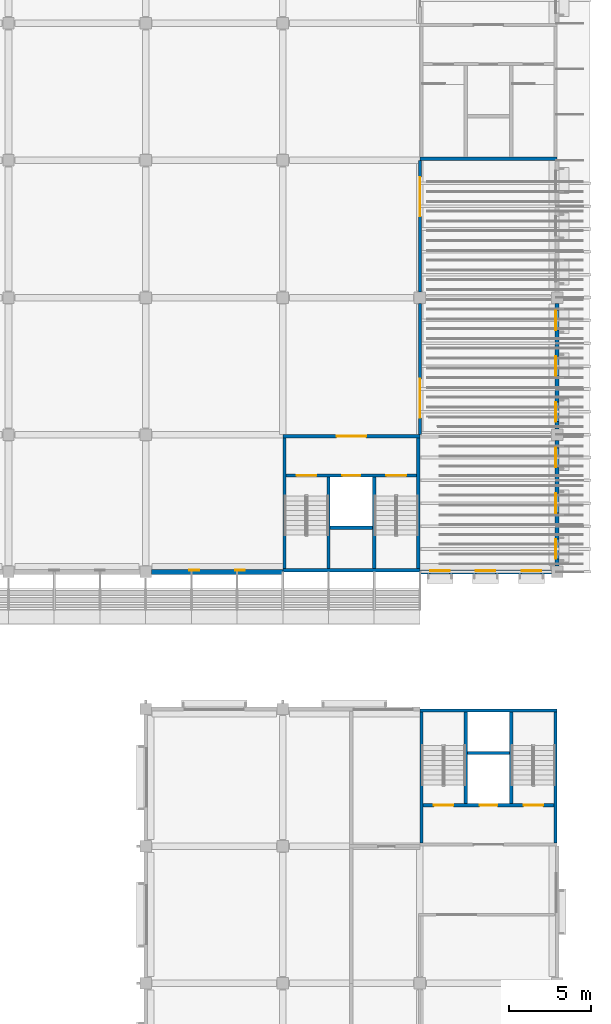
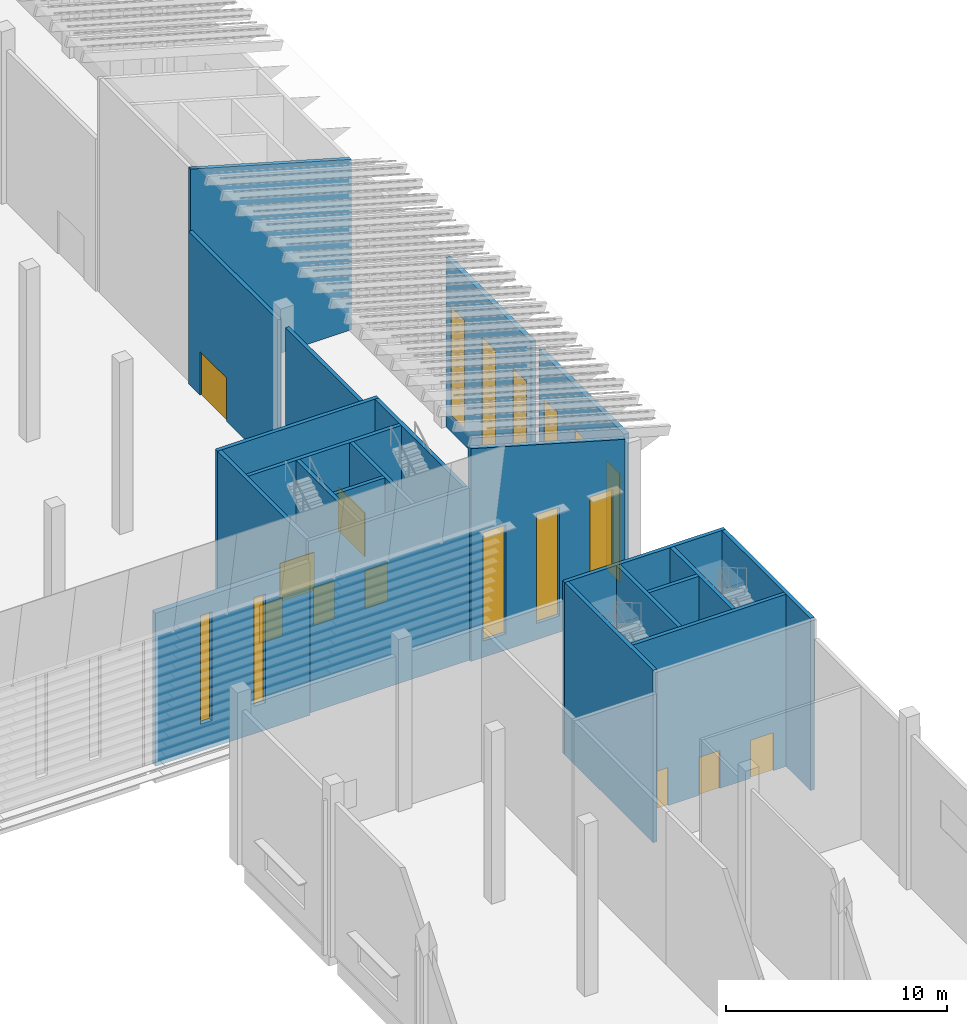
# One storey, part 50 of 114: 22 walls, 11 windows, 9 doors, 20 openings.
"""IFC4 building model written with IfcOpenShell, lengths in metres."""

from ifc_helpers import new_model, si_unit, direction, frame, frame_2d, origin, place, context, subcontext, project, spatial, polyline, rectangle, outline, extrude, material, layer, layer_set, type_object, element, fill, save


model = new_model("IFC4")

# Units and contexts
model_context = context("Model", 3, precision=1e-05, world=origin(), true_north=direction((0.0, 1.0)))
body_context = subcontext(model_context, "Body", "Model", "MODEL_VIEW")
ifc_project = project(units=[si_unit("LENGTHUNIT", "METRE"), si_unit("AREAUNIT", "SQUARE_METRE"), si_unit("VOLUMEUNIT", "CUBIC_METRE"), si_unit("PLANEANGLEUNIT", "RADIAN"), si_unit("MASSUNIT", "GRAM", prefix="KILO")], contexts=[model_context])

# Site, building, storey
site_placement = place(None, origin())
site = spatial("IfcSite", under=ifc_project, at=site_placement, CompositionType="ELEMENT")
building_placement = place(site_placement, origin())
building = spatial("IfcBuilding", under=site, at=building_placement, Name="Almond Square Museum", CompositionType="ELEMENT")
storey_placement = place(building_placement, frame((0.0, 0.0, 10.5)))
storey = spatial("IfcBuildingStorey", under=building, at=storey_placement, Name="L02", CompositionType="ELEMENT", Elevation=10.5)

# Wall, openings, windows
ifc_material_1 = material(Name="Concrete C30/37", Category="concrete")
ifc_layer_1 = layer(ifc_material_1, 0.300048828125)
ifc_layer_set_1 = layer_set([ifc_layer_1], Name="Concrete C30/37")
wall_type_1 = type_object("IfcWallType", Name="Cast concrete wall 300 C30/37 behind louvre skin", PredefinedType="SOLIDWALL", material=ifc_layer_set_1)
wall_1_placement = place(storey_placement, frame((132.35009765625, 50.39990234375, 0.0), z_axis=(0.0, 0.0, 1.0), x_axis=(1.0, 0.0, 0.0)))
wall_1 = element("IfcWall", 1, at=wall_1_placement, inside=storey, type_object=wall_type_1, Name="External wall W1 V1 L02 S03", PredefinedType="SOLIDWALL", context=body_context, shape_type="SweptSolid", body=[
    extrude(rectangle(XDim=8.0498046875, YDim=0.300048828125, at=frame_2d((4.02490234375, 0.0))), origin(), (0.0, 0.0, 1.0), 8.43994140625),
])
opening_1_placement = place(wall_1_placement, frame((2.324951171875, 0.0, 1.5)))
opening_1 = element("IfcOpeningElement", 2, at=opening_1_placement, cuts=wall_1, Name="Opening W2079", PredefinedType="OPENING", context=body_context, shape_type="SweptSolid", body=[
    extrude(rectangle(XDim=0.60009765625, YDim=6.0, at=frame_2d((0.300048828125, 3.0))), frame((0.0, 0.159912109375, 0.0), z_axis=(0.0, -1.0, 0.0), x_axis=(1.0, 0.0, 0.0)), (0.0, 0.0, 1.0), 0.320068359375),
])
opening_2_placement = place(wall_1_placement, frame((5.125, 0.0, 1.5)))
opening_2 = element("IfcOpeningElement", 3, at=opening_2_placement, cuts=wall_1, Name="Opening W2080", PredefinedType="OPENING", context=body_context, shape_type="SweptSolid", body=[
    extrude(rectangle(XDim=0.60009765625, YDim=6.0, at=frame_2d((0.300048828125, 3.0))), frame((0.0, 0.159912109375, 0.0), z_axis=(0.0, -1.0, 0.0), x_axis=(1.0, 0.0, 0.0)), (0.0, 0.0, 1.0), 0.320068359375),
])
ifc_material_2 = material(Name="Anodised aluminium louvre and laminated glass", Category="aluminium")
window_type_1 = type_object("IfcWindowType", Name="Tall slot window with storm louvre", PartitioningType="SINGLE_PANEL", PredefinedType="WINDOW", material=ifc_material_2)
window_1_placement = place(opening_1_placement, origin())
window_1 = element("IfcWindow", 4, at=window_1_placement, inside=storey, type_object=window_type_1, Name="Tall slot window with storm louvre W2079", OverallHeight=6.0, OverallWidth=0.60009765625, PartitioningType="SINGLE_PANEL", PredefinedType="WINDOW", context=body_context, shape_type="SweptSolid", body=[
    extrude(rectangle(XDim=0.60009765625, YDim=6.0, at=frame_2d((0.300048828125, 3.0))), frame((0.0, 0.130126953125, 0.0), z_axis=(0.0, -1.0, 0.0), x_axis=(1.0, 0.0, 0.0)), (0.0, 0.0, 1.0), 0.06005859375),
])
fill(opening_1, window_1)
window_2_placement = place(opening_2_placement, origin())
window_2 = element("IfcWindow", 5, at=window_2_placement, inside=storey, type_object=window_type_1, Name="Tall slot window with storm louvre W2080", OverallHeight=6.0, OverallWidth=0.60009765625, PartitioningType="SINGLE_PANEL", PredefinedType="WINDOW", context=body_context, shape_type="SweptSolid", body=[
    extrude(rectangle(XDim=0.60009765625, YDim=6.0, at=frame_2d((0.300048828125, 3.0))), frame((0.0, 0.130126953125, 0.0), z_axis=(0.0, -1.0, 0.0), x_axis=(1.0, 0.0, 0.0)), (0.0, 0.0, 1.0), 0.06005859375),
])
fill(opening_2, window_2)

# Wall, opening, door
ifc_material_3 = material(Name="Painted gypsum board on steel stud", Category="steel")
ifc_layer_2 = layer(ifc_material_3, 0.199951171875)
ifc_layer_set_2 = layer_set([ifc_layer_2], Name="Painted gypsum board on steel stud")
wall_type_2 = type_object("IfcWallType", Name="Gallery wall 200 painted board on stud", PredefinedType="PARTITIONING", material=ifc_layer_set_2)
wall_2_placement = place(storey_placement, frame((148.800048828125, 58.800048828125, 0.0), z_axis=(0.0, 0.0, 1.0), x_axis=(0.0, 1.0, 0.0)))
wall_2 = element("IfcWall", 6, at=wall_2_placement, inside=storey, type_object=wall_type_2, Name="L02 partition 14", PredefinedType="PARTITIONING", context=body_context, shape_type="SweptSolid", body=[
    extrude(rectangle(XDim=8.050048828125, YDim=0.199951171875, at=frame_2d((4.02490234375, 0.0))), origin(), (0.0, 0.0, 1.0), 8.39990234375),
])
opening_3_placement = place(wall_2_placement, frame((1.02490234375, 0.0, 0.0)))
opening_3 = element("IfcOpeningElement", 7, at=opening_3_placement, cuts=wall_2, Name="Opening D2125", PredefinedType="OPENING", context=body_context, shape_type="SweptSolid", body=[
    extrude(rectangle(XDim=2.39990234375, YDim=2.39990234375, at=frame_2d((1.199951171875, 1.199951171875))), frame((0.0, 0.10986328125, 0.0), z_axis=(0.0, -1.0, 0.0), x_axis=(1.0, 0.0, 0.0)), (0.0, 0.0, 1.0), 0.219970703125),
])
ifc_material_4 = material(Name="Timber", Category="wood")
door_type_1 = type_object("IfcDoorType", Name="Gallery door 2400 x 2400 timber double", OperationType="NOTDEFINED", PredefinedType="DOOR", material=ifc_material_4)
door_1_placement = place(opening_3_placement, origin())
door_1 = element("IfcDoor", 8, at=door_1_placement, inside=storey, type_object=door_type_1, Name="L02 door Grand Gallery to Sculpture Gallery 2", OperationType="DOUBLE_DOOR_SINGLE_SWING", OverallHeight=2.39990234375, OverallWidth=2.39990234375, PredefinedType="DOOR", context=body_context, shape_type="SweptSolid", body=[
    extrude(rectangle(XDim=2.39990234375, YDim=2.39990234375, at=frame_2d((1.199951171875, 1.199951171875))), frame((0.0, 0.02490234375, 0.0), z_axis=(0.0, -1.0, 0.0), x_axis=(1.0, 0.0, 0.0)), (0.0, 0.0, 1.0), 0.050048828125),
])
fill(opening_3, door_1)

wall_3_placement = place(storey_placement, frame((148.800048828125, 67.550048828125, 0.0), z_axis=(0.0, 0.0, 1.0), x_axis=(0.0, 1.0, 0.0)))
wall_3 = element("IfcWall", 9, at=wall_3_placement, inside=storey, type_object=wall_type_2, Name="L02 partition 15", PredefinedType="PARTITIONING", context=body_context, shape_type="SweptSolid", body=[
    extrude(rectangle(XDim=8.050048828125, YDim=0.199951171875, at=frame_2d((4.02490234375, 0.0))), origin(), (0.0, 0.0, 1.0), 8.39990234375),
])
opening_4_placement = place(wall_3_placement, frame((4.625, 0.0, 0.0)))
opening_4 = element("IfcOpeningElement", 10, at=opening_4_placement, cuts=wall_3, Name="Opening D2126", PredefinedType="OPENING", context=body_context, shape_type="SweptSolid", body=[
    extrude(rectangle(XDim=2.39990234375, YDim=2.39990234375, at=frame_2d((1.199951171875, 1.199951171875))), frame((0.0, 0.10986328125, 0.0), z_axis=(0.0, -1.0, 0.0), x_axis=(1.0, 0.0, 0.0)), (0.0, 0.0, 1.0), 0.219970703125),
])
door_2_placement = place(opening_4_placement, origin())
door_2 = element("IfcDoor", 11, at=door_2_placement, inside=storey, type_object=door_type_1, Name="L02 door Grand Gallery to Sculpture Gallery 2", OperationType="DOUBLE_DOOR_SINGLE_SWING", OverallHeight=2.39990234375, OverallWidth=2.39990234375, PredefinedType="DOOR", context=body_context, shape_type="SweptSolid", body=[
    extrude(rectangle(XDim=2.39990234375, YDim=2.39990234375, at=frame_2d((1.199951171875, 1.199951171875))), frame((0.0, 0.02490234375, 0.0), z_axis=(0.0, -1.0, 0.0), x_axis=(1.0, 0.0, 0.0)), (0.0, 0.0, 1.0), 0.050048828125),
])
fill(opening_4, door_2)

# Wall, openings, windows
ifc_material_5 = material(Name="Precast concrete C40/50", Category="concrete")
ifc_layer_3 = layer(ifc_material_5, 0.25)
ifc_layer_set_3 = layer_set([ifc_layer_3], Name="Precast concrete C40/50")
wall_type_3 = type_object("IfcWallType", Name="Precast concrete panel wall 250 with coral limestone piers", PredefinedType="SOLIDWALL", material=ifc_layer_set_3)
wall_4_placement = place(storey_placement, frame((148.800048828125, 50.39990234375, 0.0), z_axis=(0.0, 0.0, 1.0), x_axis=(1.0, 0.0, 0.0)))
wall_4 = element("IfcWall", 12, at=wall_4_placement, inside=storey, type_object=wall_type_3, Name="External wall W2 V4E L02 S01", PredefinedType="SOLIDWALL", context=body_context, shape_type="SweptSolid", body=[
    extrude(outline(polyline([(0.0, 0.0), (8.050048828125, 0.0), (8.050048828125, 9.441650390625), (0.0, 11.74169921875), (0.0, 0.0)])), frame((0.0, 0.125, 0.0), z_axis=(0.0, -1.0, 0.0), x_axis=(1.0, 0.0, 0.0)), (0.0, 0.0, 1.0), 0.25),
])
opening_5_placement = place(wall_4_placement, frame((0.625, 0.0, 0.89990234375)))
opening_5 = element("IfcOpeningElement", 13, at=opening_5_placement, cuts=wall_4, Name="Opening W2081", PredefinedType="OPENING", context=body_context, shape_type="SweptSolid", body=[
    extrude(rectangle(XDim=1.199951171875, YDim=6.0, at=frame_2d((0.60009765625, 3.0))), frame((0.0, 0.135009765625, 0.0), z_axis=(0.0, -1.0, 0.0), x_axis=(1.0, 0.0, 0.0)), (0.0, 0.0, 1.0), 0.27001953125),
])
opening_6_placement = place(wall_4_placement, frame((3.425048828125, 0.0, 0.89990234375)))
opening_6 = element("IfcOpeningElement", 14, at=opening_6_placement, cuts=wall_4, Name="Opening W2082", PredefinedType="OPENING", context=body_context, shape_type="SweptSolid", body=[
    extrude(rectangle(XDim=1.199951171875, YDim=6.0, at=frame_2d((0.60009765625, 3.0))), frame((0.0, 0.135009765625, 0.0), z_axis=(0.0, -1.0, 0.0), x_axis=(1.0, 0.0, 0.0)), (0.0, 0.0, 1.0), 0.27001953125),
])
opening_7_placement = place(wall_4_placement, frame((6.22509765625, 0.0, 0.89990234375)))
opening_7 = element("IfcOpeningElement", 15, at=opening_7_placement, cuts=wall_4, Name="Opening W2083", PredefinedType="OPENING", context=body_context, shape_type="SweptSolid", body=[
    extrude(rectangle(XDim=1.199951171875, YDim=6.0, at=frame_2d((0.60009765625, 3.0))), frame((0.0, 0.135009765625, 0.0), z_axis=(0.0, -1.0, 0.0), x_axis=(1.0, 0.0, 0.0)), (0.0, 0.0, 1.0), 0.27001953125),
])
ifc_material_6 = material(Name="Anodised aluminium louvre and laminated glass", Category="aluminium")
window_type_2 = type_object("IfcWindowType", Name="Tall louvred pier window", PartitioningType="SINGLE_PANEL", PredefinedType="WINDOW", material=ifc_material_6)
window_3_placement = place(opening_5_placement, origin())
window_3 = element("IfcWindow", 16, at=window_3_placement, inside=storey, type_object=window_type_2, Name="Tall louvred pier window W2081", OverallHeight=6.0, OverallWidth=1.199951171875, PartitioningType="SINGLE_PANEL", PredefinedType="WINDOW", context=body_context, shape_type="SweptSolid", body=[
    extrude(rectangle(XDim=1.199951171875, YDim=6.0, at=frame_2d((0.60009765625, 3.0))), frame((0.0, 0.10498046875, 0.0), z_axis=(0.0, -1.0, 0.0), x_axis=(1.0, 0.0, 0.0)), (0.0, 0.0, 1.0), 0.06005859375),
])
fill(opening_5, window_3)
window_4_placement = place(opening_6_placement, origin())
window_4 = element("IfcWindow", 17, at=window_4_placement, inside=storey, type_object=window_type_2, Name="Tall louvred pier window W2082", OverallHeight=6.0, OverallWidth=1.199951171875, PartitioningType="SINGLE_PANEL", PredefinedType="WINDOW", context=body_context, shape_type="SweptSolid", body=[
    extrude(rectangle(XDim=1.199951171875, YDim=6.0, at=frame_2d((0.60009765625, 3.0))), frame((0.0, 0.10498046875, 0.0), z_axis=(0.0, -1.0, 0.0), x_axis=(1.0, 0.0, 0.0)), (0.0, 0.0, 1.0), 0.06005859375),
])
fill(opening_6, window_4)
window_5_placement = place(opening_7_placement, origin())
window_5 = element("IfcWindow", 18, at=window_5_placement, inside=storey, type_object=window_type_2, Name="Tall louvred pier window W2083", OverallHeight=6.0, OverallWidth=1.199951171875, PartitioningType="SINGLE_PANEL", PredefinedType="WINDOW", context=body_context, shape_type="SweptSolid", body=[
    extrude(rectangle(XDim=1.199951171875, YDim=6.0, at=frame_2d((0.60009765625, 3.0))), frame((0.0, 0.10498046875, 0.0), z_axis=(0.0, -1.0, 0.0), x_axis=(1.0, 0.0, 0.0)), (0.0, 0.0, 1.0), 0.06005859375),
])
fill(opening_7, window_5)

wall_5_placement = place(storey_placement, frame((157.199951171875, 50.75, 0.0), z_axis=(0.0, 0.0, 1.0), x_axis=(0.0, 1.0, 0.0)))
wall_5 = element("IfcWall", 19, at=wall_5_placement, inside=storey, type_object=wall_type_3, Name="External wall W2 V4E L02 E01", PredefinedType="SOLIDWALL", context=body_context, shape_type="SweptSolid", body=[
    extrude(rectangle(XDim=7.699951171875, YDim=0.25, at=frame_2d((3.85009765625, 0.0))), origin(), (0.0, 0.0, 1.0), 9.341552734375),
])
opening_8_placement = place(wall_5_placement, frame((0.449951171875, 0.0, 0.89990234375)))
opening_8 = element("IfcOpeningElement", 20, at=opening_8_placement, cuts=wall_5, Name="Opening W2084", PredefinedType="OPENING", context=body_context, shape_type="SweptSolid", body=[
    extrude(rectangle(XDim=1.199951171875, YDim=6.0, at=frame_2d((0.60009765625, 3.0))), frame((0.0, 0.135009765625, 0.0), z_axis=(0.0, -1.0, 0.0), x_axis=(1.0, 0.0, 0.0)), (0.0, 0.0, 1.0), 0.27001953125),
])
opening_9_placement = place(wall_5_placement, frame((3.25, 0.0, 0.89990234375)))
opening_9 = element("IfcOpeningElement", 21, at=opening_9_placement, cuts=wall_5, Name="Opening W2085", PredefinedType="OPENING", context=body_context, shape_type="SweptSolid", body=[
    extrude(rectangle(XDim=1.199951171875, YDim=6.0, at=frame_2d((0.60009765625, 3.0))), frame((0.0, 0.135009765625, 0.0), z_axis=(0.0, -1.0, 0.0), x_axis=(1.0, 0.0, 0.0)), (0.0, 0.0, 1.0), 0.27001953125),
])
opening_10_placement = place(wall_5_placement, frame((6.050048828125, 0.0, 0.89990234375)))
opening_10 = element("IfcOpeningElement", 22, at=opening_10_placement, cuts=wall_5, Name="Opening W2086", PredefinedType="OPENING", context=body_context, shape_type="SweptSolid", body=[
    extrude(rectangle(XDim=1.199951171875, YDim=6.0, at=frame_2d((0.60009765625, 3.0))), frame((0.0, 0.135009765625, 0.0), z_axis=(0.0, -1.0, 0.0), x_axis=(1.0, 0.0, 0.0)), (0.0, 0.0, 1.0), 0.27001953125),
])
window_6_placement = place(opening_8_placement, origin())
window_6 = element("IfcWindow", 23, at=window_6_placement, inside=storey, type_object=window_type_2, Name="Tall louvred pier window W2084", OverallHeight=6.0, OverallWidth=1.199951171875, PartitioningType="SINGLE_PANEL", PredefinedType="WINDOW", context=body_context, shape_type="SweptSolid", body=[
    extrude(rectangle(XDim=1.199951171875, YDim=6.0, at=frame_2d((0.60009765625, 3.0))), frame((0.0, 0.10498046875, 0.0), z_axis=(0.0, -1.0, 0.0), x_axis=(1.0, 0.0, 0.0)), (0.0, 0.0, 1.0), 0.06005859375),
])
fill(opening_8, window_6)
window_7_placement = place(opening_9_placement, origin())
window_7 = element("IfcWindow", 24, at=window_7_placement, inside=storey, type_object=window_type_2, Name="Tall louvred pier window W2085", OverallHeight=6.0, OverallWidth=1.199951171875, PartitioningType="SINGLE_PANEL", PredefinedType="WINDOW", context=body_context, shape_type="SweptSolid", body=[
    extrude(rectangle(XDim=1.199951171875, YDim=6.0, at=frame_2d((0.60009765625, 3.0))), frame((0.0, 0.10498046875, 0.0), z_axis=(0.0, -1.0, 0.0), x_axis=(1.0, 0.0, 0.0)), (0.0, 0.0, 1.0), 0.06005859375),
])
fill(opening_9, window_7)
window_8_placement = place(opening_10_placement, origin())
window_8 = element("IfcWindow", 25, at=window_8_placement, inside=storey, type_object=window_type_2, Name="Tall louvred pier window W2086", OverallHeight=6.0, OverallWidth=1.199951171875, PartitioningType="SINGLE_PANEL", PredefinedType="WINDOW", context=body_context, shape_type="SweptSolid", body=[
    extrude(rectangle(XDim=1.199951171875, YDim=6.0, at=frame_2d((0.60009765625, 3.0))), frame((0.0, 0.10498046875, 0.0), z_axis=(0.0, -1.0, 0.0), x_axis=(1.0, 0.0, 0.0)), (0.0, 0.0, 1.0), 0.06005859375),
])
fill(opening_10, window_8)

wall_6_placement = place(storey_placement, frame((157.199951171875, 59.14990234375, 0.0), z_axis=(0.0, 0.0, 1.0), x_axis=(0.0, 1.0, 0.0)))
wall_6 = element("IfcWall", 26, at=wall_6_placement, inside=storey, type_object=wall_type_3, Name="External wall W2 V4E L02 E02", PredefinedType="SOLIDWALL", context=body_context, shape_type="SweptSolid", body=[
    extrude(rectangle(XDim=7.7001953125, YDim=0.25, at=frame_2d((3.85009765625, 0.0))), origin(), (0.0, 0.0, 1.0), 9.341552734375),
])
opening_11_placement = place(wall_6_placement, frame((0.449951171875, 0.0, 0.89990234375)))
opening_11 = element("IfcOpeningElement", 27, at=opening_11_placement, cuts=wall_6, Name="Opening W2087", PredefinedType="OPENING", context=body_context, shape_type="SweptSolid", body=[
    extrude(rectangle(XDim=1.199951171875, YDim=6.0, at=frame_2d((0.60009765625, 3.0))), frame((0.0, 0.135009765625, 0.0), z_axis=(0.0, -1.0, 0.0), x_axis=(1.0, 0.0, 0.0)), (0.0, 0.0, 1.0), 0.27001953125),
])
opening_12_placement = place(wall_6_placement, frame((3.25, 0.0, 0.89990234375)))
opening_12 = element("IfcOpeningElement", 28, at=opening_12_placement, cuts=wall_6, Name="Opening W2088", PredefinedType="OPENING", context=body_context, shape_type="SweptSolid", body=[
    extrude(rectangle(XDim=1.199951171875, YDim=6.0, at=frame_2d((0.60009765625, 3.0))), frame((0.0, 0.135009765625, 0.0), z_axis=(0.0, -1.0, 0.0), x_axis=(1.0, 0.0, 0.0)), (0.0, 0.0, 1.0), 0.27001953125),
])
opening_13_placement = place(wall_6_placement, frame((6.050048828125, 0.0, 0.89990234375)))
opening_13 = element("IfcOpeningElement", 29, at=opening_13_placement, cuts=wall_6, Name="Opening W2089", PredefinedType="OPENING", context=body_context, shape_type="SweptSolid", body=[
    extrude(rectangle(XDim=1.199951171875, YDim=6.0, at=frame_2d((0.60009765625, 3.0))), frame((0.0, 0.135009765625, 0.0), z_axis=(0.0, -1.0, 0.0), x_axis=(1.0, 0.0, 0.0)), (0.0, 0.0, 1.0), 0.27001953125),
])
window_9_placement = place(opening_11_placement, origin())
window_9 = element("IfcWindow", 30, at=window_9_placement, inside=storey, type_object=window_type_2, Name="Tall louvred pier window W2087", OverallHeight=6.0, OverallWidth=1.199951171875, PartitioningType="SINGLE_PANEL", PredefinedType="WINDOW", context=body_context, shape_type="SweptSolid", body=[
    extrude(rectangle(XDim=1.199951171875, YDim=6.0, at=frame_2d((0.60009765625, 3.0))), frame((0.0, 0.10498046875, 0.0), z_axis=(0.0, -1.0, 0.0), x_axis=(1.0, 0.0, 0.0)), (0.0, 0.0, 1.0), 0.06005859375),
])
fill(opening_11, window_9)
window_10_placement = place(opening_12_placement, origin())
window_10 = element("IfcWindow", 31, at=window_10_placement, inside=storey, type_object=window_type_2, Name="Tall louvred pier window W2088", OverallHeight=6.0, OverallWidth=1.199951171875, PartitioningType="SINGLE_PANEL", PredefinedType="WINDOW", context=body_context, shape_type="SweptSolid", body=[
    extrude(rectangle(XDim=1.199951171875, YDim=6.0, at=frame_2d((0.60009765625, 3.0))), frame((0.0, 0.10498046875, 0.0), z_axis=(0.0, -1.0, 0.0), x_axis=(1.0, 0.0, 0.0)), (0.0, 0.0, 1.0), 0.06005859375),
])
fill(opening_12, window_10)
window_11_placement = place(opening_13_placement, origin())
window_11 = element("IfcWindow", 32, at=window_11_placement, inside=storey, type_object=window_type_2, Name="Tall louvred pier window W2089", OverallHeight=6.0, OverallWidth=1.199951171875, PartitioningType="SINGLE_PANEL", PredefinedType="WINDOW", context=body_context, shape_type="SweptSolid", body=[
    extrude(rectangle(XDim=1.199951171875, YDim=6.0, at=frame_2d((0.60009765625, 3.0))), frame((0.0, 0.10498046875, 0.0), z_axis=(0.0, -1.0, 0.0), x_axis=(1.0, 0.0, 0.0)), (0.0, 0.0, 1.0), 0.06005859375),
])
fill(opening_13, window_11)

# Wall
ifc_material_7 = material(Name="Concrete C40/50", Category="concrete")
ifc_layer_4 = layer(ifc_material_7, 0.199951171875)
ifc_layer_set_4 = layer_set([ifc_layer_4], Name="Concrete C40/50")
wall_type_4 = type_object("IfcWallType", Name="RC shear wall 200 C40/50", PredefinedType="SHEAR", material=ifc_layer_set_4)
wall_7_placement = place(storey_placement, frame((140.39990234375, 50.5, 0.0), z_axis=(0.0, 0.0, 1.0), x_axis=(1.0, 0.0, 0.0)))
element("IfcWall", 33, at=wall_7_placement, inside=storey, type_object=wall_type_4, Name="Core H2 south wall L02", PredefinedType="SHEAR", context=body_context, shape_type="SweptSolid", body=[
    extrude(rectangle(XDim=8.400146484375, YDim=0.199951171875, at=frame_2d((4.2001953125, 0.0))), origin(), (0.0, 0.0, 1.0), 9.5),
])

# Wall, opening, door
wall_8_placement = place(storey_placement, frame((140.39990234375, 58.699951171875, 0.0), z_axis=(0.0, 0.0, 1.0), x_axis=(1.0, 0.0, 0.0)))
wall_8 = element("IfcWall", 34, at=wall_8_placement, inside=storey, type_object=wall_type_4, Name="Core H2 north wall L02", PredefinedType="SHEAR", context=body_context, shape_type="SweptSolid", body=[
    extrude(rectangle(XDim=8.400146484375, YDim=0.199951171875, at=frame_2d((4.2001953125, 0.0))), origin(), (0.0, 0.0, 1.0), 9.5),
])
opening_14_placement = place(wall_8_placement, frame((3.300048828125, 0.0, 0.0)))
opening_14 = element("IfcOpeningElement", 35, at=opening_14_placement, cuts=wall_8, Name="Opening D2130", PredefinedType="OPENING", context=body_context, shape_type="SweptSolid", body=[
    extrude(rectangle(XDim=1.800048828125, YDim=2.10009765625, at=frame_2d((0.89990234375, 1.050048828125))), frame((0.0, 0.10986328125, 0.0), z_axis=(0.0, -1.0, 0.0), x_axis=(1.0, 0.0, 0.0)), (0.0, 0.0, 1.0), 0.219970703125),
])
ifc_material_8 = material(Name="Steel", Category="steel")
door_type_2 = type_object("IfcDoorType", Name="Fire door 1800 x 2100 FD60 double", OperationType="NOTDEFINED", PredefinedType="DOOR", material=ifc_material_8)
door_3_placement = place(opening_14_placement, origin())
door_3 = element("IfcDoor", 36, at=door_3_placement, inside=storey, type_object=door_type_2, Name="L02 stair core H2 lobby door", OperationType="DOUBLE_DOOR_SINGLE_SWING", OverallHeight=2.10009765625, OverallWidth=1.800048828125, PredefinedType="DOOR", context=body_context, shape_type="SweptSolid", body=[
    extrude(rectangle(XDim=1.800048828125, YDim=2.10009765625, at=frame_2d((0.89990234375, 1.050048828125))), frame((0.0, 0.02490234375, 0.0), z_axis=(0.0, -1.0, 0.0), x_axis=(1.0, 0.0, 0.0)), (0.0, 0.0, 1.0), 0.050048828125),
])
fill(opening_14, door_3)

# Walls
for number, where, z_axis, x_axis, name in (
    (37, (140.5, 50.60009765625, 0.0), (0.0, 0.0, 1.0), (0.0, 1.0, 0.0), "Core H2 west wall L02"),
    (38, (148.699951171875, 50.60009765625, 0.0), (0.0, 0.0, 1.0), (0.0, 1.0, 0.0), "Core H2 east wall L02"),
):
    element("IfcWall", number, at=place(storey_placement, frame(where, z_axis=z_axis, x_axis=x_axis)), inside=storey, type_object=wall_type_4, Name=name, PredefinedType="SHEAR", context=body_context, shape_type="SweptSolid", body=[
        extrude(rectangle(XDim=8.0, YDim=0.199951171875, at=frame_2d((4.0, 0.0))), origin(), (0.0, 0.0, 1.0), 9.5),
    ])

# Wall, openings, doors
wall_9_placement = place(storey_placement, frame((140.60009765625, 56.300048828125, 0.0), z_axis=(0.0, 0.0, 1.0), x_axis=(1.0, 0.0, 0.0)))
wall_9 = element("IfcWall", 39, at=wall_9_placement, inside=storey, type_object=wall_type_4, Name="Core H2 lobby wall L02", PredefinedType="SHEAR", context=body_context, shape_type="SweptSolid", body=[
    extrude(rectangle(XDim=8.0, YDim=0.199951171875, at=frame_2d((4.0, 0.0))), origin(), (0.0, 0.0, 1.0), 9.5),
])
opening_15_placement = place(wall_9_placement, frame((0.64990234375, 0.0, 0.0)))
opening_15 = element("IfcOpeningElement", 40, at=opening_15_placement, cuts=wall_9, Name="Opening D2131", PredefinedType="OPENING", context=body_context, shape_type="SweptSolid", body=[
    extrude(rectangle(XDim=1.199951171875, YDim=2.10009765625, at=frame_2d((0.60009765625, 1.050048828125))), frame((0.0, 0.10986328125, 0.0), z_axis=(0.0, -1.0, 0.0), x_axis=(1.0, 0.0, 0.0)), (0.0, 0.0, 1.0), 0.219970703125),
])
opening_16_placement = place(wall_9_placement, frame((6.14990234375, 0.0, 0.0)))
opening_16 = element("IfcOpeningElement", 41, at=opening_16_placement, cuts=wall_9, Name="Opening D2132", PredefinedType="OPENING", context=body_context, shape_type="SweptSolid", body=[
    extrude(rectangle(XDim=1.199951171875, YDim=2.10009765625, at=frame_2d((0.60009765625, 1.050048828125))), frame((0.0, 0.10986328125, 0.0), z_axis=(0.0, -1.0, 0.0), x_axis=(1.0, 0.0, 0.0)), (0.0, 0.0, 1.0), 0.219970703125),
])
opening_17_placement = place(wall_9_placement, frame((3.449951171875, 0.0, 0.0)))
opening_17 = element("IfcOpeningElement", 42, at=opening_17_placement, cuts=wall_9, Name="Opening D2133", PredefinedType="OPENING", context=body_context, shape_type="SweptSolid", body=[
    extrude(rectangle(XDim=1.10009765625, YDim=2.10009765625, at=frame_2d((0.550048828125, 1.050048828125))), frame((0.0, 0.10986328125, 0.0), z_axis=(0.0, -1.0, 0.0), x_axis=(1.0, 0.0, 0.0)), (0.0, 0.0, 1.0), 0.219970703125),
])
ifc_material_9 = material(Name="Steel", Category="steel")
door_type_3 = type_object("IfcDoorType", Name="Fire door 1200 x 2100 FD120 stair", OperationType="NOTDEFINED", PredefinedType="DOOR", material=ifc_material_9)
door_4_placement = place(opening_15_placement, origin())
door_4 = element("IfcDoor", 43, at=door_4_placement, inside=storey, type_object=door_type_3, Name="L02 stair H2-1 door", OperationType="SINGLE_SWING_LEFT", OverallHeight=2.10009765625, OverallWidth=1.199951171875, PredefinedType="DOOR", context=body_context, shape_type="SweptSolid", body=[
    extrude(rectangle(XDim=1.199951171875, YDim=2.10009765625, at=frame_2d((0.60009765625, 1.050048828125))), frame((0.0, 0.02490234375, 0.0), z_axis=(0.0, -1.0, 0.0), x_axis=(1.0, 0.0, 0.0)), (0.0, 0.0, 1.0), 0.050048828125),
])
fill(opening_15, door_4)
door_5_placement = place(opening_16_placement, origin())
door_5 = element("IfcDoor", 44, at=door_5_placement, inside=storey, type_object=door_type_3, Name="L02 stair H2-2 door", OperationType="SINGLE_SWING_RIGHT", OverallHeight=2.10009765625, OverallWidth=1.199951171875, PredefinedType="DOOR", context=body_context, shape_type="SweptSolid", body=[
    extrude(rectangle(XDim=1.199951171875, YDim=2.10009765625, at=frame_2d((0.60009765625, 1.050048828125))), frame((0.0, 0.02490234375, 0.0), z_axis=(0.0, -1.0, 0.0), x_axis=(1.0, 0.0, 0.0)), (0.0, 0.0, 1.0), 0.050048828125),
])
fill(opening_16, door_5)
ifc_material_10 = material(Name="Stainless steel", Category="steel")
door_type_4 = type_object("IfcDoorType", Name="Lift landing door 1100 x 2100", OperationType="NOTDEFINED", PredefinedType="DOOR", material=ifc_material_10)
door_6_placement = place(opening_17_placement, origin())
door_6 = element("IfcDoor", 45, at=door_6_placement, inside=storey, type_object=door_type_4, Name="L02 lift PL-H2 landing door", OperationType="DOUBLE_DOOR_SLIDING", OverallHeight=2.10009765625, OverallWidth=1.10009765625, PredefinedType="DOOR", context=body_context, shape_type="SweptSolid", body=[
    extrude(rectangle(XDim=1.10009765625, YDim=2.10009765625, at=frame_2d((0.550048828125, 1.050048828125))), frame((0.0, 0.02490234375, 0.0), z_axis=(0.0, -1.0, 0.0), x_axis=(1.0, 0.0, 0.0)), (0.0, 0.0, 1.0), 0.050048828125),
])
fill(opening_17, door_6)

# Walls
for number, where, z_axis, x_axis, name in (
    (46, (143.199951171875, 50.60009765625, 0.0), (0.0, 0.0, 1.0), (0.0, 1.0, 0.0), "Core H2 partition wall L02"),
    (47, (146.0, 50.60009765625, 0.0), (0.0, 0.0, 1.0), (0.0, 1.0, 0.0), "Core H2 partition wall L02"),
):
    element("IfcWall", number, at=place(storey_placement, frame(where, z_axis=z_axis, x_axis=x_axis)), inside=storey, type_object=wall_type_4, Name=name, PredefinedType="SHEAR", context=body_context, shape_type="SweptSolid", body=[
        extrude(rectangle(XDim=5.599853515625, YDim=0.199951171875, at=frame_2d((2.7998046875, 0.0))), origin(), (0.0, 0.0, 1.0), 9.5),
    ])
wall_10_placement = place(storey_placement, frame((143.300048828125, 53.10009765625, 0.0), z_axis=(0.0, 0.0, 1.0), x_axis=(1.0, 0.0, 0.0)))
element("IfcWall", 48, at=wall_10_placement, inside=storey, type_object=wall_type_4, Name="Core H2 partition wall L02", PredefinedType="SHEAR", context=body_context, shape_type="SweptSolid", body=[
    extrude(rectangle(XDim=2.599853515625, YDim=0.199951171875, at=frame_2d((1.2998046875, 0.0))), origin(), (0.0, 0.0, 1.0), 9.5),
])
wall_11_placement = place(storey_placement, frame((148.800048828125, 75.699951171875, 0.0), z_axis=(0.0, 0.0, 1.0), x_axis=(1.0, 0.0, 0.0)))
element("IfcWall", 49, at=wall_11_placement, inside=storey, type_object=wall_type_4, Name="Core E1 south wall L02", PredefinedType="SHEAR", context=body_context, shape_type="SweptSolid", body=[
    extrude(outline(polyline([(0.0, 0.0), (8.39990234375, 0.0), (8.39990234375, 9.39990234375), (8.10009765625, 9.486083984375), (7.800048828125, 9.571044921875), (6.89990234375, 9.8291015625), (6.60009765625, 9.9140625), (6.0, 10.0859375), (5.699951171875, 10.1708984375), (4.800048828125, 10.428955078125), (4.5, 10.513916015625), (3.89990234375, 10.68603515625), (3.60009765625, 10.77099609375), (2.699951171875, 11.029052734375), (2.39990234375, 11.114013671875), (1.800048828125, 11.285888671875), (1.5, 11.37109375), (0.60009765625, 11.62890625), (0.300048828125, 11.714111328125), (0.0, 11.800048828125), (0.0, 0.0)])), frame((0.0, 0.10009765625, 0.0), z_axis=(0.0, -1.0, 0.0), x_axis=(1.0, 0.0, 0.0)), (0.0, 0.0, 1.0), 0.199951171875),
])
wall_12_placement = place(storey_placement, frame((148.800048828125, 41.89990234375, 0.0), z_axis=(0.0, 0.0, 1.0), x_axis=(1.0, 0.0, 0.0)))
element("IfcWall", 50, at=wall_12_placement, inside=storey, type_object=wall_type_4, Name="Core X1 north wall L02", PredefinedType="SHEAR", context=body_context, shape_type="SweptSolid", body=[
    extrude(rectangle(XDim=8.39990234375, YDim=0.199951171875, at=frame_2d((4.199951171875, 0.0))), origin(), (0.0, 0.0, 1.0), 9.5),
])
for number, where, z_axis, x_axis, name in (
    (51, (148.89990234375, 33.800048828125, 0.0), (0.0, 0.0, 1.0), (0.0, 1.0, 0.0), "Core X1 west wall L02"),
    (52, (157.10009765625, 33.800048828125, 0.0), (0.0, 0.0, 1.0), (0.0, 1.0, 0.0), "Core X1 east wall L02"),
):
    element("IfcWall", number, at=place(storey_placement, frame(where, z_axis=z_axis, x_axis=x_axis)), inside=storey, type_object=wall_type_4, Name=name, PredefinedType="SHEAR", context=body_context, shape_type="SweptSolid", body=[
        extrude(rectangle(XDim=8.0, YDim=0.199951171875, at=frame_2d((4.0, 0.0))), origin(), (0.0, 0.0, 1.0), 9.5),
    ])

# Wall, openings, doors
wall_13_placement = place(storey_placement, frame((149.0, 36.10009765625, 0.0), z_axis=(0.0, 0.0, 1.0), x_axis=(1.0, 0.0, 0.0)))
wall_13 = element("IfcWall", 53, at=wall_13_placement, inside=storey, type_object=wall_type_4, Name="Core X1 lobby wall L02", PredefinedType="SHEAR", context=body_context, shape_type="SweptSolid", body=[
    extrude(rectangle(XDim=8.0, YDim=0.199951171875, at=frame_2d((4.0, 0.0))), origin(), (0.0, 0.0, 1.0), 9.5),
])
opening_18_placement = place(wall_13_placement, frame((0.64990234375, 0.0, 0.0)))
opening_18 = element("IfcOpeningElement", 54, at=opening_18_placement, cuts=wall_13, Name="Opening D2177", PredefinedType="OPENING", context=body_context, shape_type="SweptSolid", body=[
    extrude(rectangle(XDim=1.199951171875, YDim=2.10009765625, at=frame_2d((0.60009765625, 1.050048828125))), frame((0.0, 0.10986328125, 0.0), z_axis=(0.0, -1.0, 0.0), x_axis=(1.0, 0.0, 0.0)), (0.0, 0.0, 1.0), 0.219970703125),
])
opening_19_placement = place(wall_13_placement, frame((6.14990234375, 0.0, 0.0)))
opening_19 = element("IfcOpeningElement", 55, at=opening_19_placement, cuts=wall_13, Name="Opening D2178", PredefinedType="OPENING", context=body_context, shape_type="SweptSolid", body=[
    extrude(rectangle(XDim=1.199951171875, YDim=2.10009765625, at=frame_2d((0.60009765625, 1.050048828125))), frame((0.0, 0.10986328125, 0.0), z_axis=(0.0, -1.0, 0.0), x_axis=(1.0, 0.0, 0.0)), (0.0, 0.0, 1.0), 0.219970703125),
])
opening_20_placement = place(wall_13_placement, frame((3.449951171875, 0.0, 0.0)))
opening_20 = element("IfcOpeningElement", 56, at=opening_20_placement, cuts=wall_13, Name="Opening D2179", PredefinedType="OPENING", context=body_context, shape_type="SweptSolid", body=[
    extrude(rectangle(XDim=1.10009765625, YDim=2.10009765625, at=frame_2d((0.550048828125, 1.050048828125))), frame((0.0, 0.10986328125, 0.0), z_axis=(0.0, -1.0, 0.0), x_axis=(1.0, 0.0, 0.0)), (0.0, 0.0, 1.0), 0.219970703125),
])
door_7_placement = place(opening_18_placement, origin())
door_7 = element("IfcDoor", 57, at=door_7_placement, inside=storey, type_object=door_type_3, Name="L02 stair X1-1 door", OperationType="SINGLE_SWING_LEFT", OverallHeight=2.10009765625, OverallWidth=1.199951171875, PredefinedType="DOOR", context=body_context, shape_type="SweptSolid", body=[
    extrude(rectangle(XDim=1.199951171875, YDim=2.10009765625, at=frame_2d((0.60009765625, 1.050048828125))), frame((0.0, 0.02490234375, 0.0), z_axis=(0.0, -1.0, 0.0), x_axis=(1.0, 0.0, 0.0)), (0.0, 0.0, 1.0), 0.050048828125),
])
fill(opening_18, door_7)
door_8_placement = place(opening_19_placement, origin())
door_8 = element("IfcDoor", 58, at=door_8_placement, inside=storey, type_object=door_type_3, Name="L02 stair X1-2 door", OperationType="SINGLE_SWING_RIGHT", OverallHeight=2.10009765625, OverallWidth=1.199951171875, PredefinedType="DOOR", context=body_context, shape_type="SweptSolid", body=[
    extrude(rectangle(XDim=1.199951171875, YDim=2.10009765625, at=frame_2d((0.60009765625, 1.050048828125))), frame((0.0, 0.02490234375, 0.0), z_axis=(0.0, -1.0, 0.0), x_axis=(1.0, 0.0, 0.0)), (0.0, 0.0, 1.0), 0.050048828125),
])
fill(opening_19, door_8)
door_9_placement = place(opening_20_placement, origin())
door_9 = element("IfcDoor", 59, at=door_9_placement, inside=storey, type_object=door_type_4, Name="L02 lift PL-X1 landing door", OperationType="DOUBLE_DOOR_SLIDING", OverallHeight=2.10009765625, OverallWidth=1.10009765625, PredefinedType="DOOR", context=body_context, shape_type="SweptSolid", body=[
    extrude(rectangle(XDim=1.10009765625, YDim=2.10009765625, at=frame_2d((0.550048828125, 1.050048828125))), frame((0.0, 0.02490234375, 0.0), z_axis=(0.0, -1.0, 0.0), x_axis=(1.0, 0.0, 0.0)), (0.0, 0.0, 1.0), 0.050048828125),
])
fill(opening_20, door_9)

# Walls
for number, where, z_axis, x_axis, name in (
    (60, (151.60009765625, 36.199951171875, 0.0), (0.0, 0.0, 1.0), (0.0, 1.0, 0.0), "Core X1 partition wall L02"),
    (61, (154.39990234375, 36.199951171875, 0.0), (0.0, 0.0, 1.0), (0.0, 1.0, 0.0), "Core X1 partition wall L02"),
):
    element("IfcWall", number, at=place(storey_placement, frame(where, z_axis=z_axis, x_axis=x_axis)), inside=storey, type_object=wall_type_4, Name=name, PredefinedType="SHEAR", context=body_context, shape_type="SweptSolid", body=[
        extrude(rectangle(XDim=5.60009765625, YDim=0.199951171875, at=frame_2d((2.800048828125, 0.0))), origin(), (0.0, 0.0, 1.0), 9.5),
    ])
wall_14_placement = place(storey_placement, frame((151.699951171875, 39.300048828125, 0.0), z_axis=(0.0, 0.0, 1.0), x_axis=(1.0, 0.0, 0.0)))
element("IfcWall", 62, at=wall_14_placement, inside=storey, type_object=wall_type_4, Name="Core X1 partition wall L02", PredefinedType="SHEAR", context=body_context, shape_type="SweptSolid", body=[
    extrude(rectangle(XDim=2.60009765625, YDim=0.199951171875, at=frame_2d((1.300048828125, 0.0))), origin(), (0.0, 0.0, 1.0), 9.5),
])

save(model, "model.ifc")
